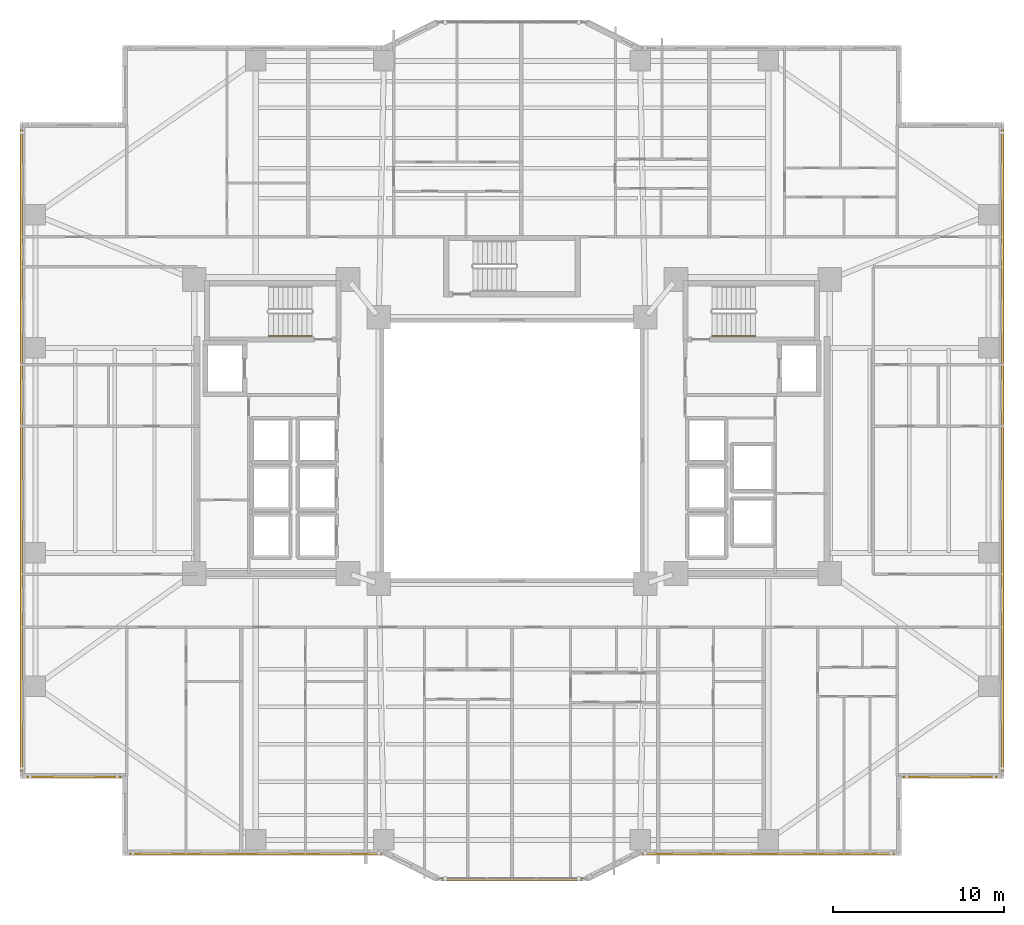
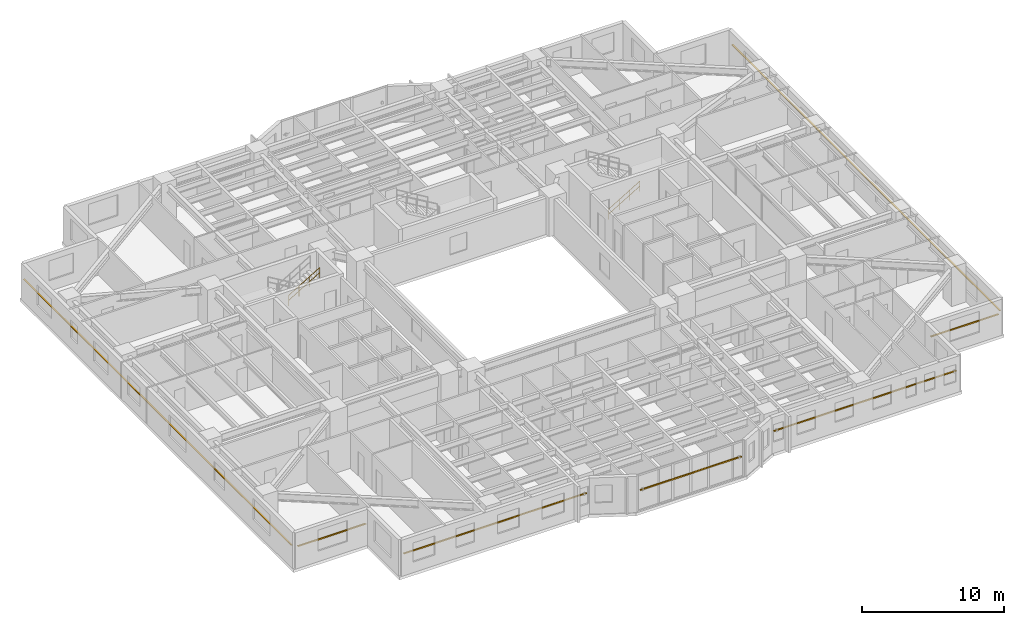
# One storey, part 20 of 22: 7 shading devices, 2 railings.
"""IFC4 building model written with IfcOpenShell, lengths in metres."""

from ifc_helpers import new_model, si_unit, direction, frame, origin, origin_2d, place, context, subcontext, project, spatial, rectangle, circle, extrude, material, material_profile, profile_set, type_object, element, save


model = new_model("IFC4")

# Units and contexts
model_context = context("Model", 3, precision=1e-05, world=origin(), true_north=direction((0.0, 1.0)))
body_context = subcontext(model_context, "Body", "Model", "MODEL_VIEW")
ifc_project = project(units=[si_unit("LENGTHUNIT", "METRE"), si_unit("AREAUNIT", "SQUARE_METRE"), si_unit("VOLUMEUNIT", "CUBIC_METRE"), si_unit("PLANEANGLEUNIT", "RADIAN"), si_unit("MASSUNIT", "GRAM", prefix="KILO")], contexts=[model_context])

# Site, building, storey
site_placement = place(None, origin())
site = spatial("IfcSite", under=ifc_project, at=site_placement, CompositionType="ELEMENT")
building_placement = place(site_placement, origin())
building = spatial("IfcBuilding", under=site, at=building_placement, Name="Tarnavaz Court Tower", CompositionType="ELEMENT")
storey_placement = place(building_placement, frame((0.0, 0.0, 57.5)))
storey = spatial("IfcBuildingStorey", under=building, at=storey_placement, Name="L15", CompositionType="ELEMENT", Elevation=57.5)

# Railings
ifc_material_1 = material(Name="Brushed Stainless Steel", Category="steel")
railing_type = type_object("IfcRailingType", Name="RL-HANDRAIL-900", PredefinedType="HANDRAIL", material=ifc_material_1)
for number, where, name in (
    (1, (-14.239990234375, 6.699951171875, 1.842529296875), "L15 ST-W1 stair handrail 2"),
    (2, (11.719970703125, 6.699951171875, 0.16748046875), "L15 ST-E1 stair handrail 1"),
):
    element("IfcRailing", number, at=place(storey_placement, frame(where)), inside=storey, type_object=railing_type, Name=name, PredefinedType="HANDRAIL", context=body_context, shape_type="SweptSolid", body=[
        extrude(circle(Radius=0.02392578125, at=origin_2d()), frame((0.0, 0.0, 0.8759765625), z_axis=(0.858159760407, 0.0, 0.513382728203), x_axis=(0.0, 1.0, 0.0)), (0.0, 0.0, 1.0), 2.9365234375),
        extrude(circle(Radius=0.02392578125, at=origin_2d()), frame((0.0, 0.0, 0.449951171875), z_axis=(0.858159760407, 0.0, 0.513382728203), x_axis=(0.0, 1.0, 0.0)), (0.0, 0.0, 1.0), 2.9365234375),
        extrude(circle(Radius=0.02099609375, at=origin_2d()), origin(), (0.0, 0.0, 1.0), 0.851806640625),
        extrude(circle(Radius=0.02099609375, at=origin_2d()), frame((0.840087890625, 0.0, 0.50244140625)), (0.0, 0.0, 1.0), 0.851806640625),
        extrude(circle(Radius=0.02099609375, at=origin_2d()), frame((1.679931640625, 0.0, 1.005126953125)), (0.0, 0.0, 1.0), 0.851806640625),
        extrude(circle(Radius=0.02099609375, at=origin_2d()), frame((2.52001953125, 0.0, 1.507568359375)), (0.0, 0.0, 1.0), 0.851806640625),
    ])

# Shading devices
ifc_material_2 = material(Name="Kiln-Fired Khorasan Terracotta Ceramic", Category="masonry")
ifc_material_profile = material_profile(ifc_material_2, rectangle(XDim=0.1201171875, YDim=0.06005859375, at=origin_2d()), Name="TC BAGUETTE 120X60")
ifc_profile_set = profile_set([ifc_material_profile], Name="Kiln-Fired Khorasan Terracotta Ceramic")
shading_device_type = type_object("IfcShadingDeviceType", Name="SD-BAG-120", PredefinedType="USERDEFINED", material=ifc_profile_set)
shading_device_1_placement = place(storey_placement, frame((-22.89990234375, -19.110107421875, 1.85009765625), z_axis=(-1.0, 0.0, 0.0), x_axis=(0.0, -1.0, 0.0)))
element("IfcShadingDevice", 3, at=shading_device_1_placement, inside=storey, type_object=shading_device_type, Name="L15 Terracotta Baguette Screen FBG01", ObjectType="BAGUETTE", PredefinedType="USERDEFINED", context=body_context, shape_type="SweptSolid", body=[
    extrude(rectangle(XDim=0.1201171875, YDim=0.06005859375, at=origin_2d()), origin(), (0.0, 0.0, 1.0), 5.5),
])
for number, where, z_axis, x_axis, name in (
    (4, (-28.7099609375, -18.800048828125, 1.85009765625), (0.0, 1.0, 0.0), (-1.0, 0.0, 0.0), "L15 Terracotta Baguette Screen FBG02"),
    (5, (28.7099609375, 18.800048828125, 1.85009765625), (0.0, -1.0, 0.0), (1.0, 0.0, 0.0), "L15 Terracotta Baguette Screen FBG12"),
):
    element("IfcShadingDevice", number, at=place(storey_placement, frame(where, z_axis=z_axis, x_axis=x_axis)), inside=storey, type_object=shading_device_type, Name=name, ObjectType="BAGUETTE", PredefinedType="USERDEFINED", context=body_context, shape_type="SweptSolid", body=[
        extrude(rectangle(XDim=0.1201171875, YDim=0.06005859375, at=origin_2d()), origin(), (0.0, 0.0, 1.0), 37.60009765625),
    ])
shading_device_2_placement = place(storey_placement, frame((28.39990234375, -19.110107421875, 1.85009765625), z_axis=(-1.0, 0.0, 0.0), x_axis=(0.0, -1.0, 0.0)))
element("IfcShadingDevice", 6, at=shading_device_2_placement, inside=storey, type_object=shading_device_type, Name="L15 Terracotta Baguette Screen FBG13", ObjectType="BAGUETTE", PredefinedType="USERDEFINED", context=body_context, shape_type="SweptSolid", body=[
    extrude(rectangle(XDim=0.1201171875, YDim=0.06005859375, at=origin_2d()), origin(), (0.0, 0.0, 1.0), 5.5),
])
shading_device_3_placement = place(storey_placement, frame((22.39990234375, -23.610107421875, 1.85009765625), z_axis=(-1.0, 0.0, 0.0), x_axis=(0.0, -1.0, 0.0)))
element("IfcShadingDevice", 7, at=shading_device_3_placement, inside=storey, type_object=shading_device_type, Name="L15 Terracotta Baguette Screen FBG15", ObjectType="BAGUETTE", PredefinedType="USERDEFINED", context=body_context, shape_type="SweptSolid", body=[
    extrude(rectangle(XDim=0.1201171875, YDim=0.06005859375, at=origin_2d()), origin(), (0.0, 0.0, 1.0), 14.7998046875),
])
shading_device_4_placement = place(storey_placement, frame((4.10009765625, -25.110107421875, 1.800048828125), z_axis=(-1.0, 0.0, 0.0), x_axis=(0.0, -1.0, 0.0)))
element("IfcShadingDevice", 8, at=shading_device_4_placement, inside=storey, type_object=shading_device_type, Name="L15 Terracotta Baguette Screen PBG17", ObjectType="BAGUETTE", PredefinedType="USERDEFINED", context=body_context, shape_type="SweptSolid", body=[
    extrude(rectangle(XDim=0.1201171875, YDim=0.06005859375, at=origin_2d()), origin(), (0.0, 0.0, 1.0), 8.2001953125),
])
shading_device_5_placement = place(storey_placement, frame((-7.60009765625, -23.610107421875, 1.85009765625), z_axis=(-1.0, 0.0, 0.0), x_axis=(0.0, -1.0, 0.0)))
element("IfcShadingDevice", 9, at=shading_device_5_placement, inside=storey, type_object=shading_device_type, Name="L15 Terracotta Baguette Screen FBG19", ObjectType="BAGUETTE", PredefinedType="USERDEFINED", context=body_context, shape_type="SweptSolid", body=[
    extrude(rectangle(XDim=0.1201171875, YDim=0.06005859375, at=origin_2d()), origin(), (0.0, 0.0, 1.0), 14.7998046875),
])

save(model, "model.ifc")
